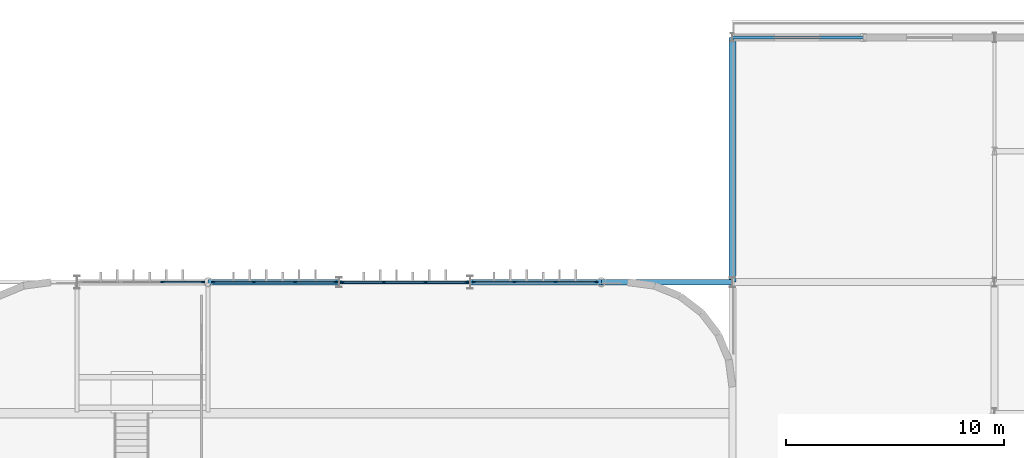
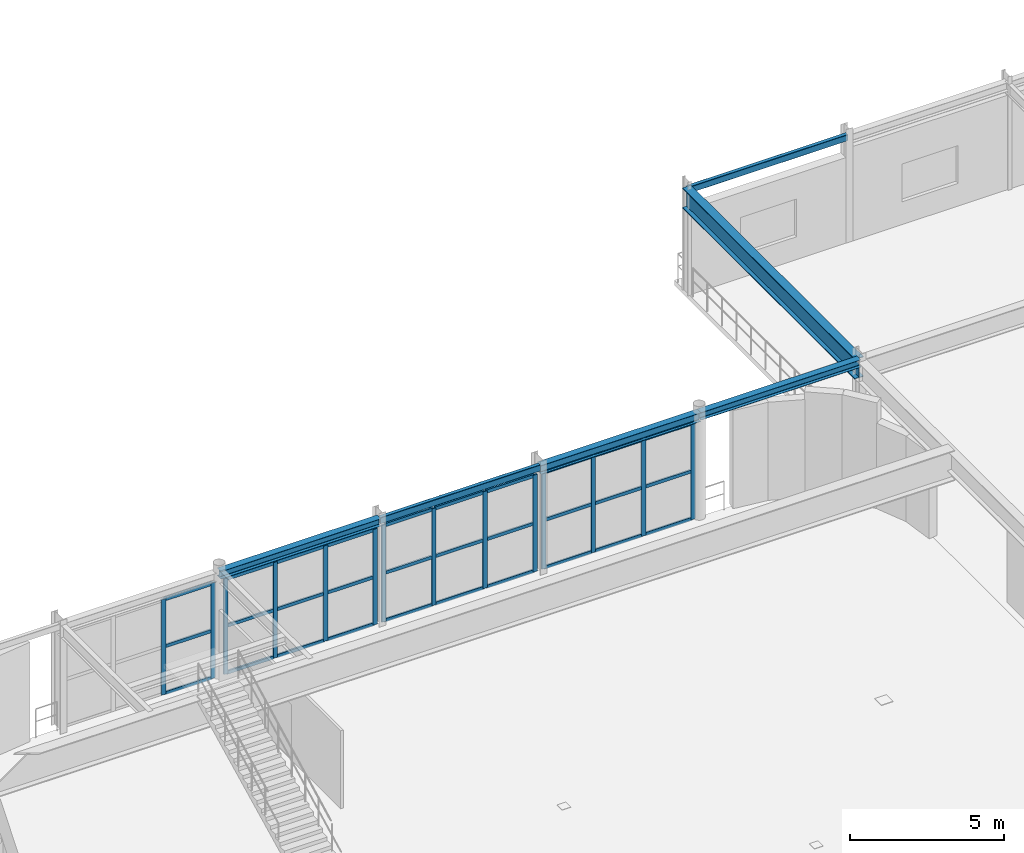
# One storey, part 40 of 84: 44 members, 6 beams, 4 elements without a shape of their own.
"""IFC4 building model written with IfcOpenShell, lengths in metres."""

from ifc_helpers import new_model, si_unit, direction, frame, origin, origin_2d, place, context, subcontext, project, spatial, rectangle, hollow_rectangle, i_section, extrude, material, material_profile, profile_set, type_object, element, aggregate, save


model = new_model("IFC4")

# Units and contexts
model_context = context("Model", 3, precision=1e-05, world=origin(), true_north=direction((0.0, 1.0)))
body_context = subcontext(model_context, "Body", "Model", "MODEL_VIEW")
ifc_project = project(units=[si_unit("LENGTHUNIT", "METRE"), si_unit("AREAUNIT", "SQUARE_METRE"), si_unit("VOLUMEUNIT", "CUBIC_METRE"), si_unit("PLANEANGLEUNIT", "RADIAN"), si_unit("MASSUNIT", "GRAM", prefix="KILO")], contexts=[model_context])

# Site, building, storey
site_placement = place(None, origin())
site = spatial("IfcSite", under=ifc_project, at=site_placement, CompositionType="ELEMENT")
building_placement = place(site_placement, origin())
building = spatial("IfcBuilding", under=site, at=building_placement, Name="Varnakota Square Police Headquarters", CompositionType="ELEMENT")
storey_placement = place(building_placement, frame((0.0, 0.0, 13.5)))
storey = spatial("IfcBuildingStorey", under=building, at=storey_placement, Name="L03", CompositionType="ELEMENT", Elevation=13.5)

# Beams
ifc_material_1 = material(Name="Steel IS 2062 Grade 350", Category="steel")
ifc_material_profile_1 = material_profile(ifc_material_1, i_section(OverallWidth=0.320068359375, OverallDepth=0.800048828125, WebThickness=0.01611328125, FlangeThickness=0.028076171875, at=origin_2d()), Name="BPG 800x320")
ifc_profile_set_1 = profile_set([ifc_material_profile_1], Name="Steel IS 2062 Grade 350")
beam_type_1 = type_object("IfcBeamType", Name="BM-BPG800", PredefinedType="BEAM", material=ifc_profile_set_1)
beam_1_placement = place(storey_placement, frame((96.0, 99.0, 3.800048828125), z_axis=(0.0, 1.0, 0.0), x_axis=(-1.0, 0.0, 0.0)))
element("IfcBeam", 1, at=beam_1_placement, inside=storey, type_object=beam_type_1, Name="BMG-L03-2676", PredefinedType="BEAM", context=body_context, shape_type="SweptSolid", body=[
    extrude(i_section(OverallWidth=0.320068359375, OverallDepth=0.800048828125, WebThickness=0.01611328125, FlangeThickness=0.028076171875, at=origin_2d()), origin(), (0.0, 0.0, 1.0), 11.199951171875),
])
ifc_material_profile_2 = material_profile(ifc_material_1, hollow_rectangle(XDim=0.14990234375, YDim=0.25, WallThickness=0.010009765625, InnerFilletRadius=0.010009765625, OuterFilletRadius=0.02001953125, at=origin_2d()), Name="RHS 250x150x10")
ifc_profile_set_2 = profile_set([ifc_material_profile_2], Name="Steel IS 2062 Grade 350")
beam_type_2 = type_object("IfcBeamType", Name="BM-CBEAM-RHS250", PredefinedType="BEAM", material=ifc_profile_set_2)
for number, where, z_axis, x_axis, name in (
    (2, (78.0, 99.0, 4.074951171875), (1.0, 0.0, 0.0), (0.0, 1.0, 0.0), "BMG-L03-2562"),
    (3, (96.0, 110.199951171875, 4.074951171875), (1.0, 0.0, 0.0), (0.0, 1.0, 0.0), "BMG-L03-2587"),
):
    element("IfcBeam", number, at=place(storey_placement, frame(where, z_axis=z_axis, x_axis=x_axis)), inside=storey, type_object=beam_type_2, Name=name, PredefinedType="BEAM", context=body_context, shape_type="SweptSolid", body=[
        extrude(hollow_rectangle(XDim=0.14990234375, YDim=0.25, WallThickness=0.010009765625, InnerFilletRadius=0.010009765625, OuterFilletRadius=0.02001953125, at=origin_2d()), origin(), (0.0, 0.0, 1.0), 6.0),
    ])
ifc_material_profile_3 = material_profile(ifc_material_1, i_section(OverallWidth=0.25, OverallDepth=0.300048828125, WebThickness=0.009521484375, FlangeThickness=0.010498046875, FilletRadius=0.011962890625, at=origin_2d()), Name="ISHB 300")
ifc_profile_set_3 = profile_set([ifc_material_profile_3], Name="Steel IS 2062 Grade 350")
beam_type_3 = type_object("IfcBeamType", Name="BM-ISHB300", PredefinedType="BEAM", material=ifc_profile_set_3)
for number, where, z_axis, x_axis, name in (
    (4, (72.0, 99.0, 4.050048828125), (1.0, 0.0, 0.0), (0.0, 1.0, 0.0), "BMG-L03-2561"),
    (5, (90.0, 99.0, 4.050048828125), (1.0, 0.0, 0.0), (0.0, 1.0, 0.0), "BMG-L03-2564"),
):
    element("IfcBeam", number, at=place(storey_placement, frame(where, z_axis=z_axis, x_axis=x_axis)), inside=storey, type_object=beam_type_3, Name=name, PredefinedType="BEAM", context=body_context, shape_type="SweptSolid", body=[
        extrude(i_section(OverallWidth=0.25, OverallDepth=0.300048828125, WebThickness=0.009521484375, FlangeThickness=0.010498046875, FilletRadius=0.011962890625, at=origin_2d()), origin(), (0.0, 0.0, 1.0), 6.0),
    ])
ifc_material_profile_4 = material_profile(ifc_material_1, i_section(OverallWidth=0.25, OverallDepth=0.35009765625, WebThickness=0.010009765625, FlangeThickness=0.01171875, FilletRadius=0.011962890625, at=origin_2d()), Name="ISHB 350")
ifc_profile_set_4 = profile_set([ifc_material_profile_4], Name="Steel IS 2062 Grade 350")
beam_type_4 = type_object("IfcBeamType", Name="BM-ISHB350", PredefinedType="BEAM", material=ifc_profile_set_4)
beam_2_placement = place(storey_placement, frame((84.0, 99.0, 4.02490234375), z_axis=(1.0, 0.0, 0.0), x_axis=(0.0, 1.0, 0.0)))
element("IfcBeam", 6, at=beam_2_placement, inside=storey, type_object=beam_type_4, Name="BMG-L03-2563", PredefinedType="BEAM", context=body_context, shape_type="SweptSolid", body=[
    extrude(i_section(OverallWidth=0.25, OverallDepth=0.35009765625, WebThickness=0.010009765625, FlangeThickness=0.01171875, FilletRadius=0.011962890625, at=origin_2d()), origin(), (0.0, 0.0, 1.0), 6.0),
])

# Curtain wall, members
ifc_material_2 = material(Name="Anodised Aluminium Framing", Category="aluminium")
curtain_wall_type = type_object("IfcCurtainWallType", Name="CW-SYS-C", PredefinedType="NOTDEFINED", material=ifc_material_2)
curtain_wall_1_placement = place(storey_placement, origin())
curtain_wall_1 = element("IfcCurtainWall", 7, at=curtain_wall_1_placement, inside=storey, type_object=curtain_wall_type, Name="Unitised curtain wall CWG-L03-250", PredefinedType="NOTDEFINED")
ifc_material_3 = material(Name="Anodised Aluminium 6063-T6", Category="aluminium")
ifc_material_profile_5 = material_profile(ifc_material_3, rectangle(XDim=0.06494140625, YDim=0.159912109375, at=origin_2d()), Name="ALU MULLION 65x160")
ifc_profile_set_5 = profile_set([ifc_material_profile_5], Name="Anodised Aluminium 6063-T6")
member_type_1 = type_object("IfcMemberType", Name="CWM-150", PredefinedType="MULLION", material=ifc_profile_set_5)
member_1_placement = place(storey_placement, frame((69.904541015625, 99.0, 0.0), z_axis=(0.0, 0.0, 1.0), x_axis=(0.0, 1.0, 0.0)))
member_1 = element("IfcMember", 8, at=member_1_placement, type_object=member_type_1, Name="CWG-L03-250 mullion 3", PredefinedType="MULLION", context=body_context, shape_type="SweptSolid", body=[
    extrude(rectangle(XDim=0.06494140625, YDim=0.159912109375, at=origin_2d()), origin(), (0.0, 0.0, 1.0), 3.7900390625),
])
member_2_placement = place(storey_placement, frame((71.75927734375, 99.0, 0.0), z_axis=(0.0, 0.0, 1.0), x_axis=(0.0, 1.0, 0.0)))
member_2 = element("IfcMember", 9, at=member_2_placement, type_object=member_type_1, Name="CWG-L03-250 mullion 4", PredefinedType="MULLION", context=body_context, shape_type="SweptSolid", body=[
    extrude(rectangle(XDim=0.06494140625, YDim=0.159912109375, at=origin_2d()), origin(), (0.0, 0.0, 1.0), 3.7900390625),
])

curtain_wall_2_placement = place(storey_placement, origin())
curtain_wall_2 = element("IfcCurtainWall", 10, at=curtain_wall_2_placement, inside=storey, type_object=curtain_wall_type, Name="Unitised curtain wall CWG-L03-251", PredefinedType="NOTDEFINED")
member_3_placement = place(storey_placement, frame((72.24072265625, 99.0, 0.0), z_axis=(0.0, 0.0, 1.0), x_axis=(0.0, 1.0, 0.0)))
member_3 = element("IfcMember", 11, at=member_3_placement, type_object=member_type_1, Name="CWG-L03-251 mullion 1", PredefinedType="MULLION", context=body_context, shape_type="SweptSolid", body=[
    extrude(rectangle(XDim=0.06494140625, YDim=0.159912109375, at=origin_2d()), origin(), (0.0, 0.0, 1.0), 3.7900390625),
])
member_4_placement = place(storey_placement, frame((74.095458984375, 99.0, 0.0), z_axis=(0.0, 0.0, 1.0), x_axis=(0.0, 1.0, 0.0)))
member_4 = element("IfcMember", 12, at=member_4_placement, type_object=member_type_1, Name="CWG-L03-251 mullion 2", PredefinedType="MULLION", context=body_context, shape_type="SweptSolid", body=[
    extrude(rectangle(XDim=0.06494140625, YDim=0.159912109375, at=origin_2d()), origin(), (0.0, 0.0, 1.0), 3.7900390625),
])
member_5_placement = place(storey_placement, frame((75.982666015625, 99.0, 0.0), z_axis=(0.0, 0.0, 1.0), x_axis=(0.0, 1.0, 0.0)))
member_5 = element("IfcMember", 13, at=member_5_placement, type_object=member_type_1, Name="CWG-L03-251 mullion 3", PredefinedType="MULLION", context=body_context, shape_type="SweptSolid", body=[
    extrude(rectangle(XDim=0.06494140625, YDim=0.159912109375, at=origin_2d()), origin(), (0.0, 0.0, 1.0), 3.7900390625),
])
member_6_placement = place(storey_placement, frame((77.83740234375, 99.0, 0.0), z_axis=(0.0, 0.0, 1.0), x_axis=(0.0, 1.0, 0.0)))
member_6 = element("IfcMember", 14, at=member_6_placement, type_object=member_type_1, Name="CWG-L03-251 mullion 4", PredefinedType="MULLION", context=body_context, shape_type="SweptSolid", body=[
    extrude(rectangle(XDim=0.06494140625, YDim=0.159912109375, at=origin_2d()), origin(), (0.0, 0.0, 1.0), 3.7900390625),
])

curtain_wall_3_placement = place(storey_placement, origin())
curtain_wall_3 = element("IfcCurtainWall", 15, at=curtain_wall_3_placement, inside=storey, type_object=curtain_wall_type, Name="Unitised curtain wall CWG-L03-252", PredefinedType="NOTDEFINED")
member_7_placement = place(storey_placement, frame((78.16259765625, 99.0, 0.0), z_axis=(0.0, 0.0, 1.0), x_axis=(0.0, 1.0, 0.0)))
member_7 = element("IfcMember", 16, at=member_7_placement, type_object=member_type_1, Name="CWG-L03-252 mullion 1", PredefinedType="MULLION", context=body_context, shape_type="SweptSolid", body=[
    extrude(rectangle(XDim=0.06494140625, YDim=0.159912109375, at=origin_2d()), origin(), (0.0, 0.0, 1.0), 3.840087890625),
])
member_8_placement = place(storey_placement, frame((80.043212890625, 99.0, 0.0), z_axis=(0.0, 0.0, 1.0), x_axis=(0.0, 1.0, 0.0)))
member_8 = element("IfcMember", 17, at=member_8_placement, type_object=member_type_1, Name="CWG-L03-252 mullion 2", PredefinedType="MULLION", context=body_context, shape_type="SweptSolid", body=[
    extrude(rectangle(XDim=0.06494140625, YDim=0.159912109375, at=origin_2d()), origin(), (0.0, 0.0, 1.0), 3.840087890625),
])
member_9_placement = place(storey_placement, frame((81.956787109375, 99.0, 0.0), z_axis=(0.0, 0.0, 1.0), x_axis=(0.0, 1.0, 0.0)))
member_9 = element("IfcMember", 18, at=member_9_placement, type_object=member_type_1, Name="CWG-L03-252 mullion 3", PredefinedType="MULLION", context=body_context, shape_type="SweptSolid", body=[
    extrude(rectangle(XDim=0.06494140625, YDim=0.159912109375, at=origin_2d()), origin(), (0.0, 0.0, 1.0), 3.840087890625),
])
member_10_placement = place(storey_placement, frame((83.83740234375, 99.0, 0.0), z_axis=(0.0, 0.0, 1.0), x_axis=(0.0, 1.0, 0.0)))
member_10 = element("IfcMember", 19, at=member_10_placement, type_object=member_type_1, Name="CWG-L03-252 mullion 4", PredefinedType="MULLION", context=body_context, shape_type="SweptSolid", body=[
    extrude(rectangle(XDim=0.06494140625, YDim=0.159912109375, at=origin_2d()), origin(), (0.0, 0.0, 1.0), 3.840087890625),
])

curtain_wall_4_placement = place(storey_placement, origin())
curtain_wall_4 = element("IfcCurtainWall", 20, at=curtain_wall_4_placement, inside=storey, type_object=curtain_wall_type, Name="Unitised curtain wall CWG-L03-253", PredefinedType="NOTDEFINED")
member_11_placement = place(storey_placement, frame((84.16259765625, 99.0, 0.0), z_axis=(0.0, 0.0, 1.0), x_axis=(0.0, 1.0, 0.0)))
member_11 = element("IfcMember", 21, at=member_11_placement, type_object=member_type_1, Name="CWG-L03-253 mullion 1", PredefinedType="MULLION", context=body_context, shape_type="SweptSolid", body=[
    extrude(rectangle(XDim=0.06494140625, YDim=0.159912109375, at=origin_2d()), origin(), (0.0, 0.0, 1.0), 3.840087890625),
])
member_12_placement = place(storey_placement, frame((86.017333984375, 99.0, 0.0), z_axis=(0.0, 0.0, 1.0), x_axis=(0.0, 1.0, 0.0)))
member_12 = element("IfcMember", 22, at=member_12_placement, type_object=member_type_1, Name="CWG-L03-253 mullion 2", PredefinedType="MULLION", context=body_context, shape_type="SweptSolid", body=[
    extrude(rectangle(XDim=0.06494140625, YDim=0.159912109375, at=origin_2d()), origin(), (0.0, 0.0, 1.0), 3.840087890625),
])
member_13_placement = place(storey_placement, frame((87.904541015625, 99.0, 0.0), z_axis=(0.0, 0.0, 1.0), x_axis=(0.0, 1.0, 0.0)))
member_13 = element("IfcMember", 23, at=member_13_placement, type_object=member_type_1, Name="CWG-L03-253 mullion 3", PredefinedType="MULLION", context=body_context, shape_type="SweptSolid", body=[
    extrude(rectangle(XDim=0.06494140625, YDim=0.159912109375, at=origin_2d()), origin(), (0.0, 0.0, 1.0), 3.840087890625),
])
member_14_placement = place(storey_placement, frame((89.75927734375, 99.0, 0.0), z_axis=(0.0, 0.0, 1.0), x_axis=(0.0, 1.0, 0.0)))
member_14 = element("IfcMember", 24, at=member_14_placement, type_object=member_type_1, Name="CWG-L03-253 mullion 4", PredefinedType="MULLION", context=body_context, shape_type="SweptSolid", body=[
    extrude(rectangle(XDim=0.06494140625, YDim=0.159912109375, at=origin_2d()), origin(), (0.0, 0.0, 1.0), 3.840087890625),
])

# Member
ifc_material_profile_6 = material_profile(ifc_material_3, rectangle(XDim=0.06494140625, YDim=0.1298828125, at=origin_2d()), Name="ALU TRANSOM 65x130")
ifc_profile_set_6 = profile_set([ifc_material_profile_6], Name="Anodised Aluminium 6063-T6")
member_type_2 = type_object("IfcMemberType", Name="CWT-120", PredefinedType="USERDEFINED", material=ifc_profile_set_6)
member_15_placement = place(storey_placement, frame((69.93701171875, 99.0, 0.032470703125), z_axis=(1.0, 0.0, 0.0), x_axis=(0.0, 1.0, 0.0)))
member_15 = element("IfcMember", 25, at=member_15_placement, type_object=member_type_2, Name="CWG-L03-250 transom 3.1", ObjectType="TRANSOM", PredefinedType="USERDEFINED", context=body_context, shape_type="SweptSolid", body=[
    extrude(rectangle(XDim=0.06494140625, YDim=0.1298828125, at=origin_2d()), origin(), (0.0, 0.0, 1.0), 1.789794921875),
])

member_16_placement = place(storey_placement, frame((69.93701171875, 99.0, 1.89501953125), z_axis=(1.0, 0.0, 0.0), x_axis=(0.0, 1.0, 0.0)))
member_16 = element("IfcMember", 26, at=member_16_placement, type_object=member_type_2, Name="CWG-L03-250 transom 3.2", ObjectType="TRANSOM", PredefinedType="USERDEFINED", context=body_context, shape_type="SweptSolid", body=[
    extrude(rectangle(XDim=0.06494140625, YDim=0.1298828125, at=origin_2d()), origin(), (0.0, 0.0, 1.0), 1.789794921875),
])

member_17_placement = place(storey_placement, frame((69.93701171875, 99.0, 3.757568359375), z_axis=(1.0, 0.0, 0.0), x_axis=(0.0, 1.0, 0.0)))
member_17 = element("IfcMember", 27, at=member_17_placement, type_object=member_type_2, Name="CWG-L03-250 transom 3.3", ObjectType="TRANSOM", PredefinedType="USERDEFINED", context=body_context, shape_type="SweptSolid", body=[
    extrude(rectangle(XDim=0.06494140625, YDim=0.1298828125, at=origin_2d()), origin(), (0.0, 0.0, 1.0), 1.789794921875),
])

aggregate(curtain_wall_1, [member_1, member_2, member_15, member_16, member_17])

member_18_placement = place(storey_placement, frame((72.273193359375, 99.0, 0.032470703125), z_axis=(1.0, 0.0, 0.0), x_axis=(0.0, 1.0, 0.0)))
member_18 = element("IfcMember", 28, at=member_18_placement, type_object=member_type_2, Name="CWG-L03-251 transom 1.1", ObjectType="TRANSOM", PredefinedType="USERDEFINED", context=body_context, shape_type="SweptSolid", body=[
    extrude(rectangle(XDim=0.06494140625, YDim=0.1298828125, at=origin_2d()), origin(), (0.0, 0.0, 1.0), 1.789794921875),
])

member_19_placement = place(storey_placement, frame((72.273193359375, 99.0, 1.89501953125), z_axis=(1.0, 0.0, 0.0), x_axis=(0.0, 1.0, 0.0)))
member_19 = element("IfcMember", 29, at=member_19_placement, type_object=member_type_2, Name="CWG-L03-251 transom 1.2", ObjectType="TRANSOM", PredefinedType="USERDEFINED", context=body_context, shape_type="SweptSolid", body=[
    extrude(rectangle(XDim=0.06494140625, YDim=0.1298828125, at=origin_2d()), origin(), (0.0, 0.0, 1.0), 1.789794921875),
])

member_20_placement = place(storey_placement, frame((72.273193359375, 99.0, 3.757568359375), z_axis=(1.0, 0.0, 0.0), x_axis=(0.0, 1.0, 0.0)))
member_20 = element("IfcMember", 30, at=member_20_placement, type_object=member_type_2, Name="CWG-L03-251 transom 1.3", ObjectType="TRANSOM", PredefinedType="USERDEFINED", context=body_context, shape_type="SweptSolid", body=[
    extrude(rectangle(XDim=0.06494140625, YDim=0.1298828125, at=origin_2d()), origin(), (0.0, 0.0, 1.0), 1.789794921875),
])

member_21_placement = place(storey_placement, frame((74.1279296875, 99.0, 0.032470703125), z_axis=(1.0, 0.0, 0.0), x_axis=(0.0, 1.0, 0.0)))
member_21 = element("IfcMember", 31, at=member_21_placement, type_object=member_type_2, Name="CWG-L03-251 transom 2.1", ObjectType="TRANSOM", PredefinedType="USERDEFINED", context=body_context, shape_type="SweptSolid", body=[
    extrude(rectangle(XDim=0.06494140625, YDim=0.1298828125, at=origin_2d()), origin(), (0.0, 0.0, 1.0), 1.822265625),
])

member_22_placement = place(storey_placement, frame((74.1279296875, 99.0, 1.89501953125), z_axis=(1.0, 0.0, 0.0), x_axis=(0.0, 1.0, 0.0)))
member_22 = element("IfcMember", 32, at=member_22_placement, type_object=member_type_2, Name="CWG-L03-251 transom 2.2", ObjectType="TRANSOM", PredefinedType="USERDEFINED", context=body_context, shape_type="SweptSolid", body=[
    extrude(rectangle(XDim=0.06494140625, YDim=0.1298828125, at=origin_2d()), origin(), (0.0, 0.0, 1.0), 1.822265625),
])

member_23_placement = place(storey_placement, frame((74.1279296875, 99.0, 3.757568359375), z_axis=(1.0, 0.0, 0.0), x_axis=(0.0, 1.0, 0.0)))
member_23 = element("IfcMember", 33, at=member_23_placement, type_object=member_type_2, Name="CWG-L03-251 transom 2.3", ObjectType="TRANSOM", PredefinedType="USERDEFINED", context=body_context, shape_type="SweptSolid", body=[
    extrude(rectangle(XDim=0.06494140625, YDim=0.1298828125, at=origin_2d()), origin(), (0.0, 0.0, 1.0), 1.822265625),
])

member_24_placement = place(storey_placement, frame((76.01513671875, 99.0, 0.032470703125), z_axis=(1.0, 0.0, 0.0), x_axis=(0.0, 1.0, 0.0)))
member_24 = element("IfcMember", 34, at=member_24_placement, type_object=member_type_2, Name="CWG-L03-251 transom 3.1", ObjectType="TRANSOM", PredefinedType="USERDEFINED", context=body_context, shape_type="SweptSolid", body=[
    extrude(rectangle(XDim=0.06494140625, YDim=0.1298828125, at=origin_2d()), origin(), (0.0, 0.0, 1.0), 1.789794921875),
])

member_25_placement = place(storey_placement, frame((76.01513671875, 99.0, 1.89501953125), z_axis=(1.0, 0.0, 0.0), x_axis=(0.0, 1.0, 0.0)))
member_25 = element("IfcMember", 35, at=member_25_placement, type_object=member_type_2, Name="CWG-L03-251 transom 3.2", ObjectType="TRANSOM", PredefinedType="USERDEFINED", context=body_context, shape_type="SweptSolid", body=[
    extrude(rectangle(XDim=0.06494140625, YDim=0.1298828125, at=origin_2d()), origin(), (0.0, 0.0, 1.0), 1.789794921875),
])

member_26_placement = place(storey_placement, frame((76.01513671875, 99.0, 3.757568359375), z_axis=(1.0, 0.0, 0.0), x_axis=(0.0, 1.0, 0.0)))
member_26 = element("IfcMember", 36, at=member_26_placement, type_object=member_type_2, Name="CWG-L03-251 transom 3.3", ObjectType="TRANSOM", PredefinedType="USERDEFINED", context=body_context, shape_type="SweptSolid", body=[
    extrude(rectangle(XDim=0.06494140625, YDim=0.1298828125, at=origin_2d()), origin(), (0.0, 0.0, 1.0), 1.789794921875),
])

aggregate(curtain_wall_2, [member_3, member_4, member_5, member_6, member_18, member_19, member_20, member_21, member_22, member_23, member_24, member_25, member_26])

member_27_placement = place(storey_placement, frame((78.195068359375, 99.0, 0.032470703125), z_axis=(1.0, 0.0, 0.0), x_axis=(0.0, 1.0, 0.0)))
member_27 = element("IfcMember", 37, at=member_27_placement, type_object=member_type_2, Name="CWG-L03-252 transom 1.1", ObjectType="TRANSOM", PredefinedType="USERDEFINED", context=body_context, shape_type="SweptSolid", body=[
    extrude(rectangle(XDim=0.06494140625, YDim=0.1298828125, at=origin_2d()), origin(), (0.0, 0.0, 1.0), 1.815673828125),
])

member_28_placement = place(storey_placement, frame((78.195068359375, 99.0, 1.919921875), z_axis=(1.0, 0.0, 0.0), x_axis=(0.0, 1.0, 0.0)))
member_28 = element("IfcMember", 38, at=member_28_placement, type_object=member_type_2, Name="CWG-L03-252 transom 1.2", ObjectType="TRANSOM", PredefinedType="USERDEFINED", context=body_context, shape_type="SweptSolid", body=[
    extrude(rectangle(XDim=0.06494140625, YDim=0.1298828125, at=origin_2d()), origin(), (0.0, 0.0, 1.0), 1.815673828125),
])

member_29_placement = place(storey_placement, frame((78.195068359375, 99.0, 3.8076171875), z_axis=(1.0, 0.0, 0.0), x_axis=(0.0, 1.0, 0.0)))
member_29 = element("IfcMember", 39, at=member_29_placement, type_object=member_type_2, Name="CWG-L03-252 transom 1.3", ObjectType="TRANSOM", PredefinedType="USERDEFINED", context=body_context, shape_type="SweptSolid", body=[
    extrude(rectangle(XDim=0.06494140625, YDim=0.1298828125, at=origin_2d()), origin(), (0.0, 0.0, 1.0), 1.815673828125),
])

member_30_placement = place(storey_placement, frame((80.075927734375, 99.0, 0.032470703125), z_axis=(1.0, 0.0, 0.0), x_axis=(0.0, 1.0, 0.0)))
member_30 = element("IfcMember", 40, at=member_30_placement, type_object=member_type_2, Name="CWG-L03-252 transom 2.1", ObjectType="TRANSOM", PredefinedType="USERDEFINED", context=body_context, shape_type="SweptSolid", body=[
    extrude(rectangle(XDim=0.06494140625, YDim=0.1298828125, at=origin_2d()), origin(), (0.0, 0.0, 1.0), 1.84814453125),
])

member_31_placement = place(storey_placement, frame((80.075927734375, 99.0, 1.919921875), z_axis=(1.0, 0.0, 0.0), x_axis=(0.0, 1.0, 0.0)))
member_31 = element("IfcMember", 41, at=member_31_placement, type_object=member_type_2, Name="CWG-L03-252 transom 2.2", ObjectType="TRANSOM", PredefinedType="USERDEFINED", context=body_context, shape_type="SweptSolid", body=[
    extrude(rectangle(XDim=0.06494140625, YDim=0.1298828125, at=origin_2d()), origin(), (0.0, 0.0, 1.0), 1.84814453125),
])

member_32_placement = place(storey_placement, frame((80.075927734375, 99.0, 3.8076171875), z_axis=(1.0, 0.0, 0.0), x_axis=(0.0, 1.0, 0.0)))
member_32 = element("IfcMember", 42, at=member_32_placement, type_object=member_type_2, Name="CWG-L03-252 transom 2.3", ObjectType="TRANSOM", PredefinedType="USERDEFINED", context=body_context, shape_type="SweptSolid", body=[
    extrude(rectangle(XDim=0.06494140625, YDim=0.1298828125, at=origin_2d()), origin(), (0.0, 0.0, 1.0), 1.84814453125),
])

member_33_placement = place(storey_placement, frame((81.9892578125, 99.0, 0.032470703125), z_axis=(1.0, 0.0, 0.0), x_axis=(0.0, 1.0, 0.0)))
member_33 = element("IfcMember", 43, at=member_33_placement, type_object=member_type_2, Name="CWG-L03-252 transom 3.1", ObjectType="TRANSOM", PredefinedType="USERDEFINED", context=body_context, shape_type="SweptSolid", body=[
    extrude(rectangle(XDim=0.06494140625, YDim=0.1298828125, at=origin_2d()), origin(), (0.0, 0.0, 1.0), 1.815673828125),
])

member_34_placement = place(storey_placement, frame((81.9892578125, 99.0, 1.919921875), z_axis=(1.0, 0.0, 0.0), x_axis=(0.0, 1.0, 0.0)))
member_34 = element("IfcMember", 44, at=member_34_placement, type_object=member_type_2, Name="CWG-L03-252 transom 3.2", ObjectType="TRANSOM", PredefinedType="USERDEFINED", context=body_context, shape_type="SweptSolid", body=[
    extrude(rectangle(XDim=0.06494140625, YDim=0.1298828125, at=origin_2d()), origin(), (0.0, 0.0, 1.0), 1.815673828125),
])

member_35_placement = place(storey_placement, frame((81.9892578125, 99.0, 3.8076171875), z_axis=(1.0, 0.0, 0.0), x_axis=(0.0, 1.0, 0.0)))
member_35 = element("IfcMember", 45, at=member_35_placement, type_object=member_type_2, Name="CWG-L03-252 transom 3.3", ObjectType="TRANSOM", PredefinedType="USERDEFINED", context=body_context, shape_type="SweptSolid", body=[
    extrude(rectangle(XDim=0.06494140625, YDim=0.1298828125, at=origin_2d()), origin(), (0.0, 0.0, 1.0), 1.815673828125),
])

aggregate(curtain_wall_3, [member_7, member_8, member_9, member_10, member_27, member_28, member_29, member_30, member_31, member_32, member_33, member_34, member_35])

member_36_placement = place(storey_placement, frame((84.195068359375, 99.0, 0.032470703125), z_axis=(1.0, 0.0, 0.0), x_axis=(0.0, 1.0, 0.0)))
member_36 = element("IfcMember", 46, at=member_36_placement, type_object=member_type_2, Name="CWG-L03-253 transom 1.1", ObjectType="TRANSOM", PredefinedType="USERDEFINED", context=body_context, shape_type="SweptSolid", body=[
    extrude(rectangle(XDim=0.06494140625, YDim=0.1298828125, at=origin_2d()), origin(), (0.0, 0.0, 1.0), 1.789794921875),
])

member_37_placement = place(storey_placement, frame((84.195068359375, 99.0, 1.919921875), z_axis=(1.0, 0.0, 0.0), x_axis=(0.0, 1.0, 0.0)))
member_37 = element("IfcMember", 47, at=member_37_placement, type_object=member_type_2, Name="CWG-L03-253 transom 1.2", ObjectType="TRANSOM", PredefinedType="USERDEFINED", context=body_context, shape_type="SweptSolid", body=[
    extrude(rectangle(XDim=0.06494140625, YDim=0.1298828125, at=origin_2d()), origin(), (0.0, 0.0, 1.0), 1.789794921875),
])

member_38_placement = place(storey_placement, frame((84.195068359375, 99.0, 3.8076171875), z_axis=(1.0, 0.0, 0.0), x_axis=(0.0, 1.0, 0.0)))
member_38 = element("IfcMember", 48, at=member_38_placement, type_object=member_type_2, Name="CWG-L03-253 transom 1.3", ObjectType="TRANSOM", PredefinedType="USERDEFINED", context=body_context, shape_type="SweptSolid", body=[
    extrude(rectangle(XDim=0.06494140625, YDim=0.1298828125, at=origin_2d()), origin(), (0.0, 0.0, 1.0), 1.789794921875),
])

member_39_placement = place(storey_placement, frame((86.0498046875, 99.0, 0.032470703125), z_axis=(1.0, 0.0, 0.0), x_axis=(0.0, 1.0, 0.0)))
member_39 = element("IfcMember", 49, at=member_39_placement, type_object=member_type_2, Name="CWG-L03-253 transom 2.1", ObjectType="TRANSOM", PredefinedType="USERDEFINED", context=body_context, shape_type="SweptSolid", body=[
    extrude(rectangle(XDim=0.06494140625, YDim=0.1298828125, at=origin_2d()), origin(), (0.0, 0.0, 1.0), 1.822265625),
])

member_40_placement = place(storey_placement, frame((86.0498046875, 99.0, 1.919921875), z_axis=(1.0, 0.0, 0.0), x_axis=(0.0, 1.0, 0.0)))
member_40 = element("IfcMember", 50, at=member_40_placement, type_object=member_type_2, Name="CWG-L03-253 transom 2.2", ObjectType="TRANSOM", PredefinedType="USERDEFINED", context=body_context, shape_type="SweptSolid", body=[
    extrude(rectangle(XDim=0.06494140625, YDim=0.1298828125, at=origin_2d()), origin(), (0.0, 0.0, 1.0), 1.822265625),
])

member_41_placement = place(storey_placement, frame((86.0498046875, 99.0, 3.8076171875), z_axis=(1.0, 0.0, 0.0), x_axis=(0.0, 1.0, 0.0)))
member_41 = element("IfcMember", 51, at=member_41_placement, type_object=member_type_2, Name="CWG-L03-253 transom 2.3", ObjectType="TRANSOM", PredefinedType="USERDEFINED", context=body_context, shape_type="SweptSolid", body=[
    extrude(rectangle(XDim=0.06494140625, YDim=0.1298828125, at=origin_2d()), origin(), (0.0, 0.0, 1.0), 1.822265625),
])

member_42_placement = place(storey_placement, frame((87.93701171875, 99.0, 0.032470703125), z_axis=(1.0, 0.0, 0.0), x_axis=(0.0, 1.0, 0.0)))
member_42 = element("IfcMember", 52, at=member_42_placement, type_object=member_type_2, Name="CWG-L03-253 transom 3.1", ObjectType="TRANSOM", PredefinedType="USERDEFINED", context=body_context, shape_type="SweptSolid", body=[
    extrude(rectangle(XDim=0.06494140625, YDim=0.1298828125, at=origin_2d()), origin(), (0.0, 0.0, 1.0), 1.789794921875),
])

member_43_placement = place(storey_placement, frame((87.93701171875, 99.0, 1.919921875), z_axis=(1.0, 0.0, 0.0), x_axis=(0.0, 1.0, 0.0)))
member_43 = element("IfcMember", 53, at=member_43_placement, type_object=member_type_2, Name="CWG-L03-253 transom 3.2", ObjectType="TRANSOM", PredefinedType="USERDEFINED", context=body_context, shape_type="SweptSolid", body=[
    extrude(rectangle(XDim=0.06494140625, YDim=0.1298828125, at=origin_2d()), origin(), (0.0, 0.0, 1.0), 1.789794921875),
])

member_44_placement = place(storey_placement, frame((87.93701171875, 99.0, 3.8076171875), z_axis=(1.0, 0.0, 0.0), x_axis=(0.0, 1.0, 0.0)))
member_44 = element("IfcMember", 54, at=member_44_placement, type_object=member_type_2, Name="CWG-L03-253 transom 3.3", ObjectType="TRANSOM", PredefinedType="USERDEFINED", context=body_context, shape_type="SweptSolid", body=[
    extrude(rectangle(XDim=0.06494140625, YDim=0.1298828125, at=origin_2d()), origin(), (0.0, 0.0, 1.0), 1.789794921875),
])

aggregate(curtain_wall_4, [member_11, member_12, member_13, member_14, member_36, member_37, member_38, member_39, member_40, member_41, member_42, member_43, member_44])

save(model, "model.ifc")
